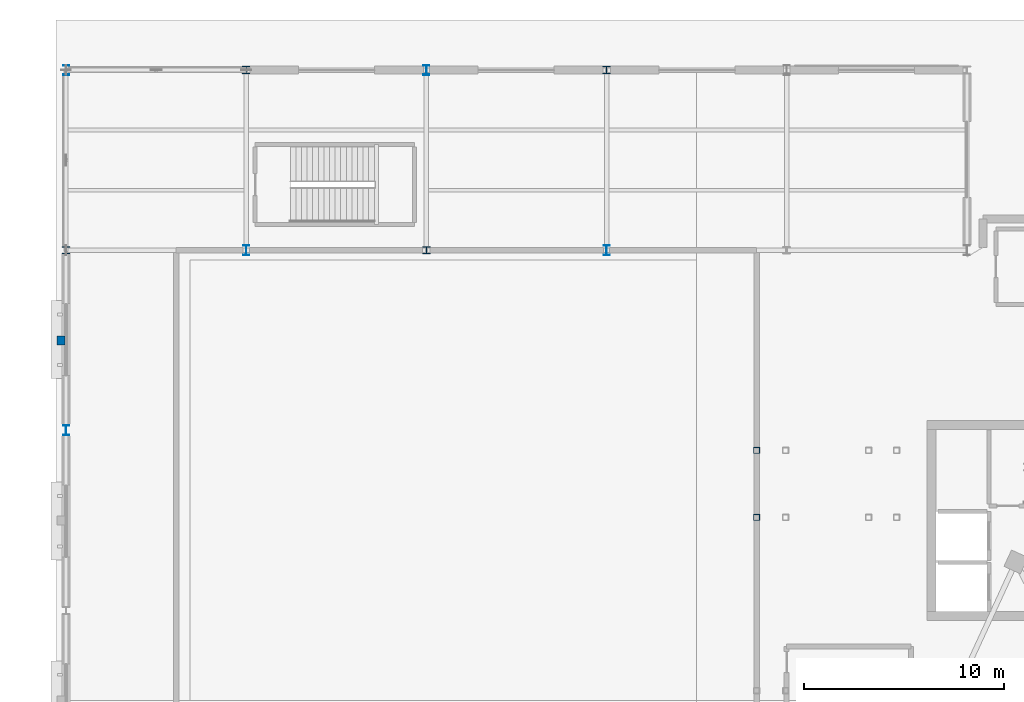
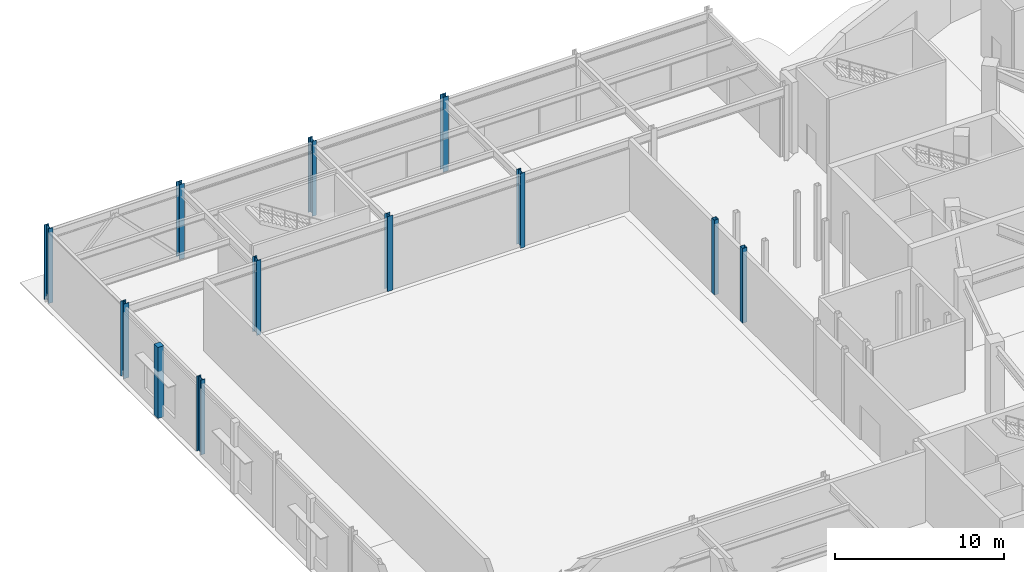
# One storey, part 11 of 79: 12 columns.
"""IFC4 building model written with IfcOpenShell, lengths in metres."""

from ifc_helpers import new_model, si_unit, direction, frame, origin, origin_2d, place, context, subcontext, project, spatial, rectangle, hollow_rectangle, i_section, extrude, material, material_profile, profile_set, type_object, element, save


model = new_model("IFC4")

# Units and contexts
model_context = context("Model", 3, precision=1e-05, world=origin(), true_north=direction((0.0, 1.0)))
body_context = subcontext(model_context, "Body", "Model", "MODEL_VIEW")
ifc_project = project(units=[si_unit("LENGTHUNIT", "METRE"), si_unit("AREAUNIT", "SQUARE_METRE"), si_unit("VOLUMEUNIT", "CUBIC_METRE"), si_unit("PLANEANGLEUNIT", "RADIAN"), si_unit("MASSUNIT", "GRAM", prefix="KILO")], contexts=[model_context])

# Site, building, storey
site_placement = place(None, origin())
site = spatial("IfcSite", under=ifc_project, at=site_placement, CompositionType="ELEMENT")
building_placement = place(site_placement, origin())
building = spatial("IfcBuilding", under=site, at=building_placement, Name="Glasvene Arena", CompositionType="ELEMENT")
storey_placement = place(building_placement, origin())
storey = spatial("IfcBuildingStorey", under=building, at=storey_placement, Name="L00", CompositionType="ELEMENT", Elevation=0.0)

# Columns
ifc_material_1 = material(Name="Steel S355J2", Category="steel")
ifc_material_profile_1 = material_profile(ifc_material_1, i_section(OverallWidth=0.300048828125, OverallDepth=0.5, WebThickness=0.014404296875, FlangeThickness=0.028076171875, FilletRadius=0.027099609375, at=origin_2d()), Name="HEB 500")
ifc_profile_set_1 = profile_set([ifc_material_profile_1], Name="Steel S355J2")
column_type_1 = type_object("IfcColumnType", Name="COL-W-HEB500", PredefinedType="COLUMN", material=ifc_profile_set_1)
for number, where, z_axis, x_axis, name in (
    (1, (0.0, 100.0, 0.0), (0.0, 0.0, 1.0), (1.0, 0.0, 0.0), "Grid column 1-12 L00"),
    (2, (0.0, 118.0, 0.0), (0.0, 0.0, 1.0), (1.0, 0.0, 0.0), "Grid column 1-14 L00"),
    (3, (9.0, 109.0, 0.0), (0.0, 0.0, 1.0), (1.0, 0.0, 0.0), "Grid column 2-13 L00"),
    (4, (18.0, 118.0, 0.0), (0.0, 0.0, 1.0), (1.0, 0.0, 0.0), "Grid column 3-14 L00"),
    (5, (27.0, 109.0, 0.0), (0.0, 0.0, 1.0), (1.0, 0.0, 0.0), "Grid column 4-13 L00"),
):
    element("IfcColumn", number, at=place(storey_placement, frame(where, z_axis=z_axis, x_axis=x_axis)), inside=storey, type_object=column_type_1, Name=name, PredefinedType="COLUMN", context=body_context, shape_type="SweptSolid", body=[
        extrude(i_section(OverallWidth=0.300048828125, OverallDepth=0.5, WebThickness=0.014404296875, FlangeThickness=0.028076171875, FilletRadius=0.027099609375, at=origin_2d()), origin(), (0.0, 0.0, 1.0), 5.39990234375),
    ])
ifc_material_profile_2 = material_profile(ifc_material_1, hollow_rectangle(XDim=0.300048828125, YDim=0.300048828125, WallThickness=0.012451171875, at=origin_2d()), Name="SHS 300x300x12.5")
ifc_profile_set_2 = profile_set([ifc_material_profile_2], Name="Steel S355J2")
column_type_2 = type_object("IfcColumnType", Name="COL-W-SHS300", PredefinedType="COLUMN", material=ifc_profile_set_2)
for number, where, z_axis, x_axis, name in (
    (6, (34.5, 95.64990234375, 0.0), (0.0, 0.0, 1.0), (1.0, 0.0, 0.0), "Vomitory arrival support column VOM-06 L00"),
    (7, (34.5, 99.0, 0.0), (0.0, 0.0, 1.0), (1.0, 0.0, 0.0), "Vomitory arrival support column VOM-06 L00"),
):
    element("IfcColumn", number, at=place(storey_placement, frame(where, z_axis=z_axis, x_axis=x_axis)), inside=storey, type_object=column_type_2, Name=name, PredefinedType="COLUMN", context=body_context, shape_type="SweptSolid", body=[
        extrude(hollow_rectangle(XDim=0.300048828125, YDim=0.300048828125, WallThickness=0.012451171875, at=origin_2d()), origin(), (0.0, 0.0, 1.0), 5.39990234375),
    ])
ifc_material_profile_3 = material_profile(ifc_material_1, i_section(OverallWidth=0.37255859375, OverallDepth=0.3681640625, WebThickness=0.014404296875, FlangeThickness=0.023681640625, FilletRadius=0.01513671875, at=origin_2d()), Name="UKC 356x368x177")
ifc_profile_set_3 = profile_set([ifc_material_profile_3], Name="Steel S355J2")
column_type_3 = type_object("IfcColumnType", Name="COL-W-UKC177", PredefinedType="COLUMN", material=ifc_profile_set_3)
for number, where, z_axis, x_axis, name in (
    (8, (0.0, 109.0, 0.0), (0.0, 0.0, 1.0), (1.0, 0.0, 0.0), "Grid column 1-13 L00"),
    (9, (9.0, 118.0, 0.0), (0.0, 0.0, 1.0), (1.0, 0.0, 0.0), "Grid column 2-14 L00"),
    (10, (18.0, 109.0, 0.0), (0.0, 0.0, 1.0), (1.0, 0.0, 0.0), "Grid column 3-13 L00"),
    (11, (27.0, 118.0, 0.0), (0.0, 0.0, 1.0), (1.0, 0.0, 0.0), "Grid column 4-14 L00"),
):
    element("IfcColumn", number, at=place(storey_placement, frame(where, z_axis=z_axis, x_axis=x_axis)), inside=storey, type_object=column_type_3, Name=name, PredefinedType="COLUMN", context=body_context, shape_type="SweptSolid", body=[
        extrude(i_section(OverallWidth=0.37255859375, OverallDepth=0.3681640625, WebThickness=0.014404296875, FlangeThickness=0.023681640625, FilletRadius=0.01513671875, at=origin_2d()), origin(), (0.0, 0.0, 1.0), 5.39990234375),
    ])
ifc_material_2 = material(Name="Precast concrete C50/60", Category="concrete")
ifc_material_profile_4 = material_profile(ifc_material_2, rectangle(XDim=0.39990234375, YDim=0.449951171875, at=origin_2d()), Name="RC 400x450")
ifc_profile_set_4 = profile_set([ifc_material_profile_4], Name="Precast concrete C50/60")
column_type_4 = type_object("IfcColumnType", Name="PIL-LIM-400", PredefinedType="PILASTER", material=ifc_profile_set_4)
column_placement = place(storey_placement, frame((-0.260009765625, 104.5, 0.0), z_axis=(0.0, 0.0, 1.0), x_axis=(1.0, 0.0, 0.0)))
element("IfcColumn", 12, at=column_placement, inside=storey, type_object=column_type_4, Name="Limestone pilaster PL-12 L00", PredefinedType="PILASTER", context=body_context, shape_type="SweptSolid", body=[
    extrude(rectangle(XDim=0.39990234375, YDim=0.449951171875, at=origin_2d()), origin(), (0.0, 0.0, 1.0), 5.1201171875),
])

save(model, "model.ifc")
